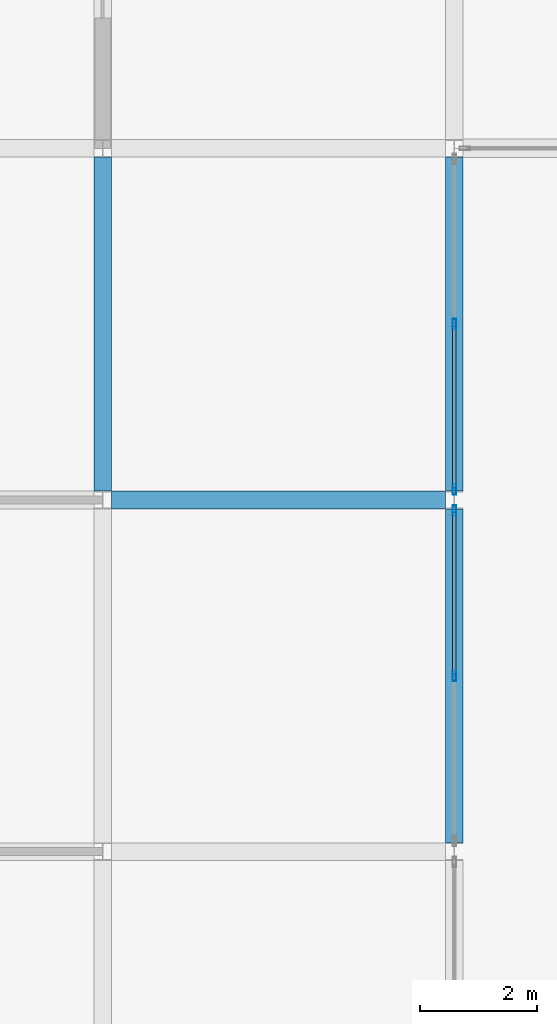
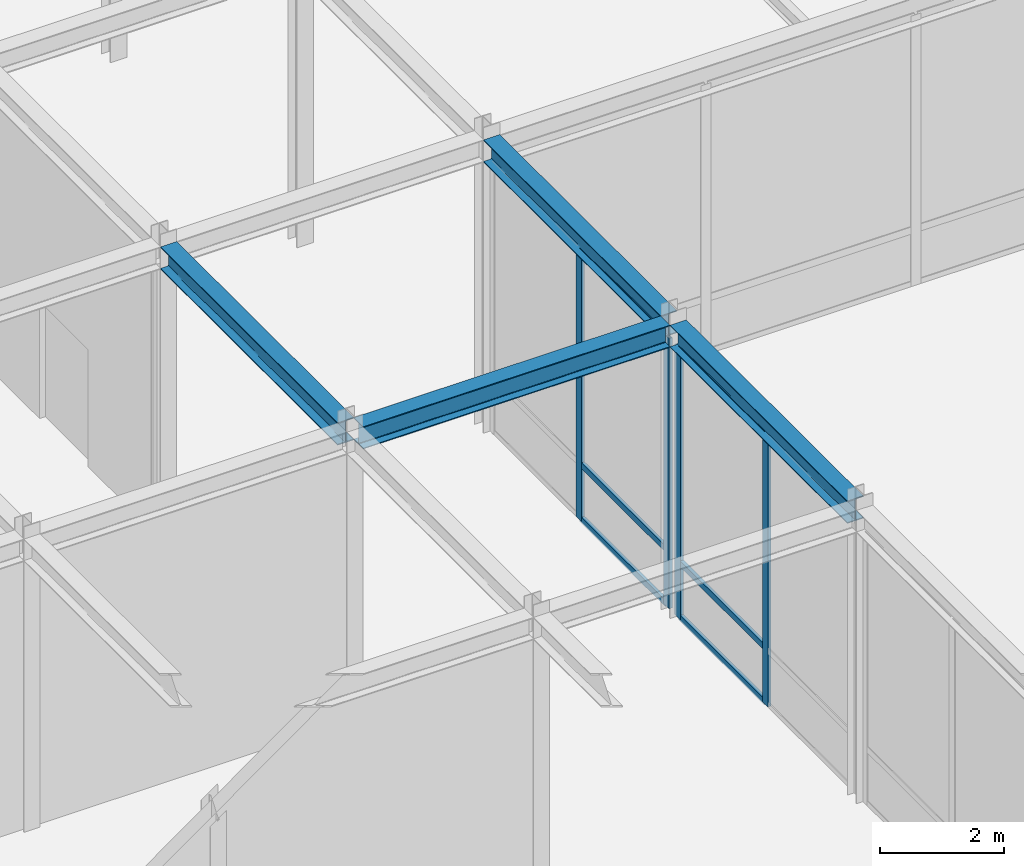
# One storey, part 67 of 108: 10 members, 4 beams, 2 elements without a shape of their own.
"""IFC4 building model written with IfcOpenShell, lengths in metres."""

from ifc_helpers import new_model, si_unit, direction, frame, origin, origin_2d, place, context, subcontext, project, spatial, hollow_rectangle, i_section, extrude, material, layer, layer_set, material_profile, profile_set, type_object, element, aggregate, save


model = new_model("IFC4")

# Units and contexts
model_context = context("Model", 3, precision=1e-05, world=origin(), true_north=direction((0.0, 1.0)))
body_context = subcontext(model_context, "Body", "Model", "MODEL_VIEW")
ifc_project = project(units=[si_unit("LENGTHUNIT", "METRE"), si_unit("AREAUNIT", "SQUARE_METRE"), si_unit("VOLUMEUNIT", "CUBIC_METRE"), si_unit("PLANEANGLEUNIT", "RADIAN"), si_unit("MASSUNIT", "GRAM", prefix="KILO")], contexts=[model_context])

# Site, building, storey
site_placement = place(None, origin())
site = spatial("IfcSite", under=ifc_project, at=site_placement, CompositionType="ELEMENT")
building_placement = place(site_placement, origin())
building = spatial("IfcBuilding", under=site, at=building_placement, Name="Zlatovratsky Civic Hall", CompositionType="ELEMENT")
storey_placement = place(building_placement, frame((0.0, 0.0, 6.0)))
storey = spatial("IfcBuildingStorey", under=building, at=storey_placement, Name="L02", CompositionType="ELEMENT", Elevation=6.0)

# Beams
ifc_material_1 = material(Name="Steel S355", Category="steel")
ifc_material_profile_1 = material_profile(ifc_material_1, i_section(OverallWidth=0.300048828125, OverallDepth=0.43994140625, WebThickness=0.010986328125, FlangeThickness=0.01806640625, FilletRadius=0.02197265625, at=origin_2d()), Name="45Sh1")
ifc_profile_set_1 = profile_set([ifc_material_profile_1], Name="Steel S355")
beam_type = type_object("IfcBeamType", Name="Beam_TowerLow_45Sh1", PredefinedType="BEAM", material=ifc_profile_set_1)
for number, where, z_axis, x_axis, name in (
    (1, (114.14990234375, 60.0, 5.5400390625), (1.0, 0.0, 0.0), (0.0, 1.0, 0.0), "BM-1866"),
    (2, (114.0, 60.14990234375, 5.5400390625), (0.0, 1.0, 0.0), (-1.0, 0.0, 0.0), "BM-2290"),
    (3, (120.0, 54.14990234375, 5.5400390625), (0.0, 1.0, 0.0), (-1.0, 0.0, 0.0), "BM-2306"),
    (4, (120.0, 60.14990234375, 5.5400390625), (0.0, 1.0, 0.0), (-1.0, 0.0, 0.0), "BM-2307"),
):
    element("IfcBeam", number, at=place(storey_placement, frame(where, z_axis=z_axis, x_axis=x_axis)), inside=storey, type_object=beam_type, Name=name, PredefinedType="BEAM", context=body_context, shape_type="SweptSolid", body=[
        extrude(i_section(OverallWidth=0.300048828125, OverallDepth=0.43994140625, WebThickness=0.010986328125, FlangeThickness=0.01806640625, FilletRadius=0.02197265625, at=origin_2d()), origin(), (0.0, 0.0, 1.0), 5.7001953125),
    ])

# Curtain wall, members
ifc_material_2 = material(Name="Anodised bronze aluminium", Category="aluminium")
ifc_layer = layer(ifc_material_2, 0.159912109375)
ifc_layer_set = layer_set([ifc_layer], Name="Anodised bronze aluminium")
curtain_wall_type = type_object("IfcCurtainWallType", Name="CurtainWall_Bronze_5700x5310_06", PredefinedType="NOTDEFINED", material=ifc_layer_set)
curtain_wall_1_placement = place(storey_placement, origin())
curtain_wall_1 = element("IfcCurtainWall", 5, at=curtain_wall_1_placement, inside=storey, type_object=curtain_wall_type, Name="CW-037", PredefinedType="NOTDEFINED")
ifc_material_profile_2 = material_profile(ifc_material_2, hollow_rectangle(XDim=0.06005859375, YDim=0.179931640625, WallThickness=0.00390625, at=origin_2d()), Name="ALU 60x180x4")
ifc_profile_set_2 = profile_set([ifc_material_profile_2], Name="Anodised bronze aluminium")
member_type_1 = type_object("IfcMemberType", Name="CW_Mullion_60x180", PredefinedType="MULLION", material=ifc_profile_set_2)
member_1_placement = place(storey_placement, frame((120.0, 57.0, 0.0), z_axis=(0.0, 0.0, 1.0), x_axis=(-1.0, 0.0, 0.0)))
member_1 = element("IfcMember", 6, at=member_1_placement, type_object=member_type_1, Name="CW-06 mullion 2", PredefinedType="MULLION", context=body_context, shape_type="SweptSolid", body=[
    extrude(hollow_rectangle(XDim=0.06005859375, YDim=0.179931640625, WallThickness=0.00390625, at=origin_2d()), origin(), (0.0, 0.0, 1.0), 5.31005859375),
])
member_2_placement = place(storey_placement, frame((120.0, 59.820068359375, 0.0), z_axis=(0.0, 0.0, 1.0), x_axis=(-1.0, 0.0, 0.0)))
member_2 = element("IfcMember", 7, at=member_2_placement, type_object=member_type_1, Name="CW-06 mullion 3", PredefinedType="MULLION", context=body_context, shape_type="SweptSolid", body=[
    extrude(hollow_rectangle(XDim=0.06005859375, YDim=0.179931640625, WallThickness=0.00390625, at=origin_2d()), origin(), (0.0, 0.0, 1.0), 5.31005859375),
])

curtain_wall_2_placement = place(storey_placement, origin())
curtain_wall_2 = element("IfcCurtainWall", 8, at=curtain_wall_2_placement, inside=storey, type_object=curtain_wall_type, Name="CW-038", PredefinedType="NOTDEFINED")
member_3_placement = place(storey_placement, frame((120.0, 60.179931640625, 0.0), z_axis=(0.0, 0.0, 1.0), x_axis=(-1.0, 0.0, 0.0)))
member_3 = element("IfcMember", 9, at=member_3_placement, type_object=member_type_1, Name="CW-06 mullion 1", PredefinedType="MULLION", context=body_context, shape_type="SweptSolid", body=[
    extrude(hollow_rectangle(XDim=0.06005859375, YDim=0.179931640625, WallThickness=0.00390625, at=origin_2d()), origin(), (0.0, 0.0, 1.0), 5.31005859375),
])
member_4_placement = place(storey_placement, frame((120.0, 63.0, 0.0), z_axis=(0.0, 0.0, 1.0), x_axis=(-1.0, 0.0, 0.0)))
member_4 = element("IfcMember", 10, at=member_4_placement, type_object=member_type_1, Name="CW-06 mullion 2", PredefinedType="MULLION", context=body_context, shape_type="SweptSolid", body=[
    extrude(hollow_rectangle(XDim=0.06005859375, YDim=0.179931640625, WallThickness=0.00390625, at=origin_2d()), origin(), (0.0, 0.0, 1.0), 5.31005859375),
])

# Member
ifc_material_profile_3 = material_profile(ifc_material_2, hollow_rectangle(XDim=0.06005859375, YDim=0.1201171875, WallThickness=0.00390625, at=origin_2d()), Name="ALU 60x120x4")
ifc_profile_set_3 = profile_set([ifc_material_profile_3], Name="Anodised bronze aluminium")
member_type_2 = type_object("IfcMemberType", Name="CW_Transom_60x120", PredefinedType="USERDEFINED", material=ifc_profile_set_3)
member_5_placement = place(storey_placement, frame((120.0, 57.030029296875, 0.030029296875), z_axis=(0.0, 1.0, 0.0), x_axis=(-1.0, 0.0, 0.0)))
member_5 = element("IfcMember", 11, at=member_5_placement, type_object=member_type_2, Name="CW-06 transom 2.1", ObjectType="TRANSOM", PredefinedType="USERDEFINED", context=body_context, shape_type="SweptSolid", body=[
    extrude(hollow_rectangle(XDim=0.06005859375, YDim=0.1201171875, WallThickness=0.00390625, at=origin_2d()), origin(), (0.0, 0.0, 1.0), 2.760009765625),
])

member_6_placement = place(storey_placement, frame((120.0, 57.030029296875, 1.10009765625), z_axis=(0.0, 1.0, 0.0), x_axis=(-1.0, 0.0, 0.0)))
member_6 = element("IfcMember", 12, at=member_6_placement, type_object=member_type_2, Name="CW-06 transom 2.2", ObjectType="TRANSOM", PredefinedType="USERDEFINED", context=body_context, shape_type="SweptSolid", body=[
    extrude(hollow_rectangle(XDim=0.06005859375, YDim=0.1201171875, WallThickness=0.00390625, at=origin_2d()), origin(), (0.0, 0.0, 1.0), 2.760009765625),
])

member_7_placement = place(storey_placement, frame((120.0, 57.030029296875, 5.280029296875), z_axis=(0.0, 1.0, 0.0), x_axis=(-1.0, 0.0, 0.0)))
member_7 = element("IfcMember", 13, at=member_7_placement, type_object=member_type_2, Name="CW-06 transom 2.3", ObjectType="TRANSOM", PredefinedType="USERDEFINED", context=body_context, shape_type="SweptSolid", body=[
    extrude(hollow_rectangle(XDim=0.06005859375, YDim=0.1201171875, WallThickness=0.00390625, at=origin_2d()), origin(), (0.0, 0.0, 1.0), 2.760009765625),
])

aggregate(curtain_wall_1, [member_1, member_2, member_5, member_6, member_7])

member_8_placement = place(storey_placement, frame((120.0, 60.2099609375, 0.030029296875), z_axis=(0.0, 1.0, 0.0), x_axis=(-1.0, 0.0, 0.0)))
member_8 = element("IfcMember", 14, at=member_8_placement, type_object=member_type_2, Name="CW-06 transom 1.1", ObjectType="TRANSOM", PredefinedType="USERDEFINED", context=body_context, shape_type="SweptSolid", body=[
    extrude(hollow_rectangle(XDim=0.06005859375, YDim=0.1201171875, WallThickness=0.00390625, at=origin_2d()), origin(), (0.0, 0.0, 1.0), 2.760009765625),
])

member_9_placement = place(storey_placement, frame((120.0, 60.2099609375, 1.10009765625), z_axis=(0.0, 1.0, 0.0), x_axis=(-1.0, 0.0, 0.0)))
member_9 = element("IfcMember", 15, at=member_9_placement, type_object=member_type_2, Name="CW-06 transom 1.2", ObjectType="TRANSOM", PredefinedType="USERDEFINED", context=body_context, shape_type="SweptSolid", body=[
    extrude(hollow_rectangle(XDim=0.06005859375, YDim=0.1201171875, WallThickness=0.00390625, at=origin_2d()), origin(), (0.0, 0.0, 1.0), 2.760009765625),
])

member_10_placement = place(storey_placement, frame((120.0, 60.2099609375, 5.280029296875), z_axis=(0.0, 1.0, 0.0), x_axis=(-1.0, 0.0, 0.0)))
member_10 = element("IfcMember", 16, at=member_10_placement, type_object=member_type_2, Name="CW-06 transom 1.3", ObjectType="TRANSOM", PredefinedType="USERDEFINED", context=body_context, shape_type="SweptSolid", body=[
    extrude(hollow_rectangle(XDim=0.06005859375, YDim=0.1201171875, WallThickness=0.00390625, at=origin_2d()), origin(), (0.0, 0.0, 1.0), 2.760009765625),
])

aggregate(curtain_wall_2, [member_3, member_4, member_8, member_9, member_10])

save(model, "model.ifc")
